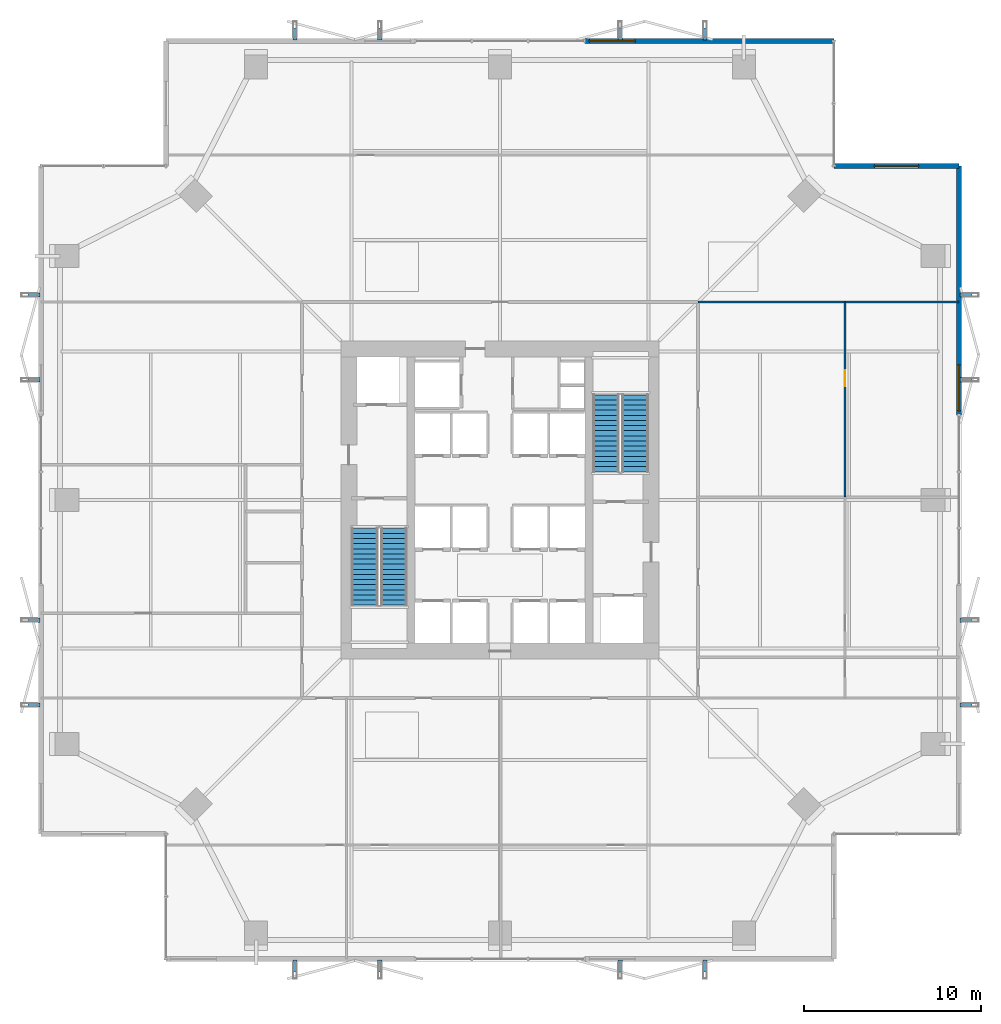
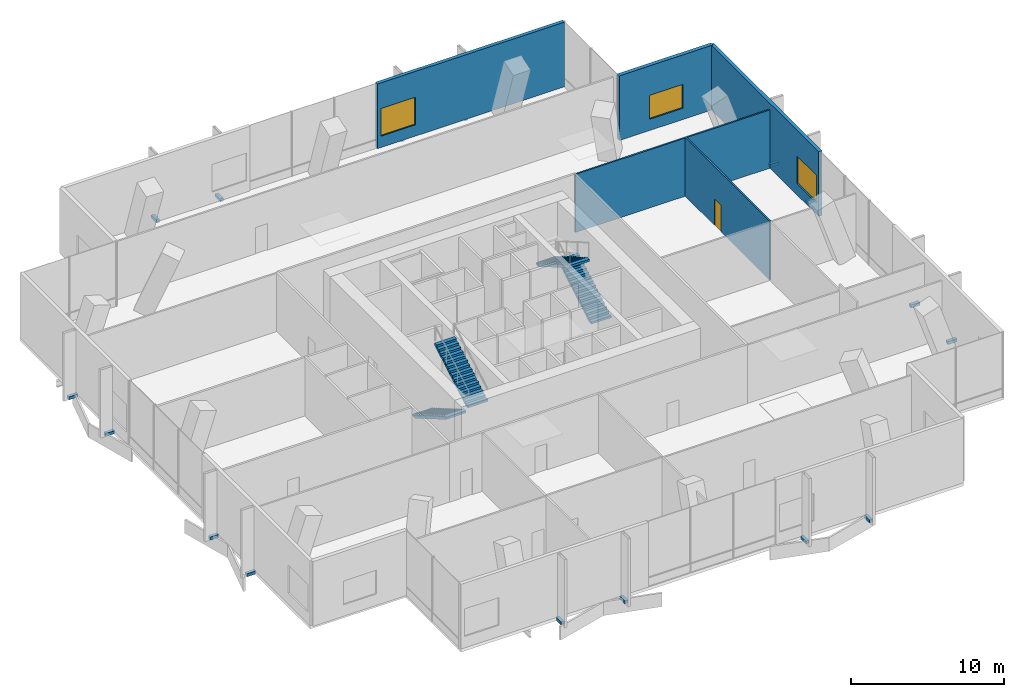
# One storey, part 27 of 28: 16 discrete accessories, 5 walls, 4 stair flights, 3 windows, 1 door, 4 openings, 2 elements without a shape of their own.
"""IFC4 building model written with IfcOpenShell, lengths in metres."""

from ifc_helpers import new_model, si_unit, direction, frame, frame_2d, origin, origin_2d, place, context, subcontext, project, spatial, polyline, rectangle, outline, extrude, material, layer, layer_set, type_object, element, fill, aggregate, save


model = new_model("IFC4")

# Units and contexts
model_context = context("Model", 3, precision=1e-05, world=origin(), true_north=direction((0.0, 1.0)))
body_context = subcontext(model_context, "Body", "Model", "MODEL_VIEW")
ifc_project = project(units=[si_unit("LENGTHUNIT", "METRE"), si_unit("AREAUNIT", "SQUARE_METRE"), si_unit("VOLUMEUNIT", "CUBIC_METRE"), si_unit("PLANEANGLEUNIT", "RADIAN"), si_unit("MASSUNIT", "GRAM", prefix="KILO")], contexts=[model_context])

# Site, building, storey
site_placement = place(None, origin())
site = spatial("IfcSite", under=ifc_project, at=site_placement, CompositionType="ELEMENT")
building_placement = place(site_placement, origin())
building = spatial("IfcBuilding", under=site, at=building_placement, Name="Belovzor Exchange Tower", CompositionType="ELEMENT")
storey_placement = place(building_placement, frame((0.0, 0.0, 132.89990234375)))
storey = spatial("IfcBuildingStorey", under=building, at=storey_placement, Name="L32", CompositionType="ELEMENT", Elevation=132.89990234375)

# Wall
ifc_material_1 = material(Name="Acoustic Plasterboard on Galvanised Studs", Category="gypsum")
ifc_layer_1 = layer(ifc_material_1, 0.1201171875)
ifc_layer_set_1 = layer_set([ifc_layer_1], Name="Acoustic Plasterboard on Galvanised Studs")
wall_type_1 = type_object("IfcWallType", Name="Acoustic Double-Stud Partition Wall 120", PredefinedType="PARTITIONING", material=ifc_layer_set_1)
wall_1_placement = place(storey_placement, frame((40.0, 40.0, 0.0), z_axis=(0.0, 0.0, 1.0), x_axis=(1.0, 0.0, 0.0)))
element("IfcWall", 1, at=wall_1_placement, inside=storey, type_object=wall_type_1, Name="W-P120 Partition Wall W-L32-END-NE", PredefinedType="PARTITIONING", context=body_context, shape_type="SweptSolid", body=[
    extrude(rectangle(XDim=14.77001953125, YDim=0.1201171875, at=frame_2d((7.385009765625, 0.0))), origin(), (0.0, 0.0, 1.0), 4.630126953125),
])

# Wall, opening, door
wall_2_placement = place(storey_placement, frame((48.320068359375, 28.9560546875, 0.0), z_axis=(0.0, 0.0, 1.0), x_axis=(0.0, 1.0, 0.0)))
wall_2 = element("IfcWall", 2, at=wall_2_placement, inside=storey, type_object=wall_type_1, Name="W-P120 Partition Wall W-L32-EHDIV-2", PredefinedType="PARTITIONING", context=body_context, shape_type="SweptSolid", body=[
    extrude(rectangle(XDim=11.0439453125, YDim=0.1201171875, at=frame_2d((5.52197265625, 0.0))), origin(), (0.0, 0.0, 1.0), 4.68017578125),
])
opening_1_placement = place(wall_2_placement, frame((6.2900390625, 0.0, 0.0)))
opening_1 = element("IfcOpeningElement", 3, at=opening_1_placement, cuts=wall_2, Name="Opening D-INT-090", PredefinedType="OPENING", context=body_context, shape_type="SweptSolid", body=[
    extrude(rectangle(XDim=0.89990234375, YDim=2.10009765625, at=frame_2d((0.449951171875, 1.050048828125))), frame((0.0, 0.070068359375, 0.0), z_axis=(0.0, -1.0, 0.0), x_axis=(1.0, 0.0, 0.0)), (0.0, 0.0, 1.0), 0.14013671875),
])
ifc_material_2 = material(Name="Veneered Hardwood Acoustic Leaf", Category="wood")
door_type = type_object("IfcDoorType", Name="Trading Suite Acoustic Single Door 900x2100", OperationType="NOTDEFINED", PredefinedType="DOOR", material=ifc_material_2)
door_placement = place(opening_1_placement, origin())
door = element("IfcDoor", 4, at=door_placement, inside=storey, type_object=door_type, Name="D-INT-090 Trading Suite Acoustic Single Door 900x2100", OperationType="SINGLE_SWING_RIGHT", OverallHeight=2.10009765625, OverallWidth=0.89990234375, PredefinedType="DOOR", context=body_context, shape_type="SweptSolid", body=[
    extrude(rectangle(XDim=0.89990234375, YDim=2.10009765625, at=frame_2d((0.449951171875, 1.050048828125))), frame((0.0, 0.02490234375, 0.0), z_axis=(0.0, -1.0, 0.0), x_axis=(1.0, 0.0, 0.0)), (0.0, 0.0, 1.0), 0.050048828125),
])
fill(opening_1, door)

# Wall, opening, window
ifc_material_3 = material(Name="Precast concrete C40/50", Category="concrete")
ifc_layer_2 = layer(ifc_material_3, 0.280029296875)
ifc_layer_set_2 = layer_set([ifc_layer_2], Name="Precast concrete C40/50")
wall_type_2 = type_object("IfcWallType", Name="Precast Concrete Notched Corner Frame Wall 280", PredefinedType="SOLIDWALL", material=ifc_layer_set_2)
wall_3_placement = place(storey_placement, frame((47.699951171875, 47.699951171875, 0.0), z_axis=(0.0, 0.0, 1.0), x_axis=(1.0, 0.0, 0.0)))
wall_3 = element("IfcWall", 5, at=wall_3_placement, inside=storey, type_object=wall_type_2, Name="W-CRN280 Precast Concrete Notched Corner Frame Wall 280 L32", PredefinedType="SOLIDWALL", context=body_context, shape_type="SweptSolid", body=[
    extrude(rectangle(XDim=7.070068359375, YDim=0.280029296875, at=frame_2d((3.53515625, 0.0))), origin(), (0.0, 0.0, 1.0), 5.14501953125),
])
opening_2_placement = place(wall_3_placement, frame((2.284912109375, 0.0, 0.89990234375)))
opening_2 = element("IfcOpeningElement", 6, at=opening_2_placement, cuts=wall_3, Name="Opening WN-CRN250", PredefinedType="OPENING", context=body_context, shape_type="SweptSolid", body=[
    extrude(rectangle(XDim=2.5, YDim=1.89990234375, at=frame_2d((1.25, 0.949951171875))), frame((0.0, 0.14990234375, 0.0), z_axis=(0.0, -1.0, 0.0), x_axis=(1.0, 0.0, 0.0)), (0.0, 0.0, 1.0), 0.300048828125),
])
ifc_material_4 = material(Name="Thermally Broken Aluminium and Triple Glazing", Category="aluminium")
window_type_1 = type_object("IfcWindowType", Name="Streamline Moderne Corner Wrap Ribbon Window 2500x1900", PartitioningType="SINGLE_PANEL", PredefinedType="WINDOW", material=ifc_material_4)
window_1_placement = place(opening_2_placement, origin())
window_1 = element("IfcWindow", 7, at=window_1_placement, inside=storey, type_object=window_type_1, Name="WN-CRN250 Streamline Moderne Corner Wrap Ribbon Window 2500x1900", OverallHeight=1.89990234375, OverallWidth=2.5, PartitioningType="SINGLE_PANEL", PredefinedType="WINDOW", context=body_context, shape_type="SweptSolid", body=[
    extrude(rectangle(XDim=2.5, YDim=1.89990234375, at=frame_2d((1.25, 0.949951171875))), frame((0.0, 0.030029296875, 0.0), z_axis=(0.0, -1.0, 0.0), x_axis=(1.0, 0.0, 0.0)), (0.0, 0.0, 1.0), 0.06005859375),
])
fill(opening_2, window_1)

ifc_material_5 = material(Name="Precast concrete C40/50", Category="concrete")
ifc_layer_3 = layer(ifc_material_5, 0.260009765625)
ifc_layer_set_3 = layer_set([ifc_layer_3], Name="Precast concrete C40/50")
wall_type_3 = type_object("IfcWallType", Name="Precast Concrete Perimeter Loggia Frame Wall 260", PredefinedType="SOLIDWALL", material=ifc_layer_set_3)
wall_4_placement = place(storey_placement, frame((33.60009765625, 54.77001953125, 0.0), z_axis=(0.0, 0.0, 1.0), x_axis=(1.0, 0.0, 0.0)))
wall_4 = element("IfcWall", 8, at=wall_4_placement, inside=storey, type_object=wall_type_3, Name="W-EXT260 Precast Concrete Perimeter Loggia Frame Wall 260 L32", PredefinedType="SOLIDWALL", context=body_context, shape_type="SweptSolid", body=[
    extrude(rectangle(XDim=14.099853515625, YDim=0.260009765625, at=frame_2d((7.0498046875, 0.0))), origin(), (0.0, 0.0, 1.0), 5.14501953125),
])
opening_3_placement = place(wall_4_placement, frame((0.25, 0.0, 0.89990234375)))
opening_3 = element("IfcOpeningElement", 9, at=opening_3_placement, cuts=wall_4, Name="Opening WN-LOG260", PredefinedType="OPENING", context=body_context, shape_type="SweptSolid", body=[
    extrude(rectangle(XDim=2.60009765625, YDim=2.199951171875, at=frame_2d((1.300048828125, 1.10009765625))), frame((0.0, 0.139892578125, 0.0), z_axis=(0.0, -1.0, 0.0), x_axis=(1.0, 0.0, 0.0)), (0.0, 0.0, 1.0), 0.280029296875),
])
ifc_material_6 = material(Name="Thermally Broken Aluminium and Triple Glazing", Category="aluminium")
window_type_2 = type_object("IfcWindowType", Name="Sky-Lobby Panoramic Window 2600x2200", PartitioningType="SINGLE_PANEL", PredefinedType="WINDOW", material=ifc_material_6)
window_2_placement = place(opening_3_placement, origin())
window_2 = element("IfcWindow", 10, at=window_2_placement, inside=storey, type_object=window_type_2, Name="WN-LOG260 Sky-Lobby Panoramic Window 2600x2200", OverallHeight=2.199951171875, OverallWidth=2.60009765625, PartitioningType="SINGLE_PANEL", PredefinedType="WINDOW", context=body_context, shape_type="SweptSolid", body=[
    extrude(rectangle(XDim=2.60009765625, YDim=2.199951171875, at=frame_2d((1.300048828125, 1.10009765625))), frame((0.0, 0.030029296875, 0.0), z_axis=(0.0, -1.0, 0.0), x_axis=(1.0, 0.0, 0.0)), (0.0, 0.0, 1.0), 0.06005859375),
])
fill(opening_3, window_2)

wall_5_placement = place(storey_placement, frame((54.77001953125, 47.699951171875, 0.0), z_axis=(0.0, 0.0, 1.0), x_axis=(0.0, -1.0, 0.0)))
wall_5 = element("IfcWall", 11, at=wall_5_placement, inside=storey, type_object=wall_type_3, Name="W-EXT260 Precast Concrete Perimeter Loggia Frame Wall 260 L32", PredefinedType="SOLIDWALL", context=body_context, shape_type="SweptSolid", body=[
    extrude(rectangle(XDim=14.099853515625, YDim=0.260009765625, at=frame_2d((7.0498046875, 0.0))), origin(), (0.0, 0.0, 1.0), 5.14501953125),
])
opening_4_placement = place(wall_5_placement, frame((11.25, 0.0, 0.89990234375)))
opening_4 = element("IfcOpeningElement", 12, at=opening_4_placement, cuts=wall_5, Name="Opening WN-LOG260", PredefinedType="OPENING", context=body_context, shape_type="SweptSolid", body=[
    extrude(rectangle(XDim=2.60009765625, YDim=2.199951171875, at=frame_2d((1.300048828125, 1.10009765625))), frame((0.0, 0.139892578125, 0.0), z_axis=(0.0, -1.0, 0.0), x_axis=(1.0, 0.0, 0.0)), (0.0, 0.0, 1.0), 0.280029296875),
])
window_3_placement = place(opening_4_placement, origin())
window_3 = element("IfcWindow", 13, at=window_3_placement, inside=storey, type_object=window_type_2, Name="WN-LOG260 Sky-Lobby Panoramic Window 2600x2200", OverallHeight=2.199951171875, OverallWidth=2.60009765625, PartitioningType="SINGLE_PANEL", PredefinedType="WINDOW", context=body_context, shape_type="SweptSolid", body=[
    extrude(rectangle(XDim=2.60009765625, YDim=2.199951171875, at=frame_2d((1.300048828125, 1.10009765625))), frame((0.0, 0.030029296875, 0.0), z_axis=(0.0, -1.0, 0.0), x_axis=(1.0, 0.0, 0.0)), (0.0, 0.0, 1.0), 0.06005859375),
])
fill(opening_4, window_3)

# Stair, stair flights
ifc_material_7 = material(Name="Concrete C40/50", Category="concrete")
stair_type = type_object("IfcStairType", Name="Reinforced Concrete Dogleg Escape Stair 1350", PredefinedType="HALF_TURN_STAIR", material=ifc_material_7)
stair_1_placement = place(storey_placement, origin())
stair_1 = element("IfcStair", 14, at=stair_1_placement, inside=storey, type_object=stair_type, Name="L32 ST-1", PredefinedType="HALF_TURN_STAIR")
ifc_material_8 = material(Name="Concrete C40/50", Category="concrete")
stair_flight_type = type_object("IfcStairFlightType", Name="Reinforced Concrete Stair Flight 1350", PredefinedType="STRAIGHT", material=ifc_material_8)
stair_flight_1_placement = place(storey_placement, frame((21.14990234375, 27.199951171875, 0.0), z_axis=(0.0, 0.0, 1.0), x_axis=(0.0, -1.0, 0.0)))
stair_flight_1 = element("IfcStairFlight", 15, at=stair_flight_1_placement, type_object=stair_flight_type, Name="ST-1 flight 1", NumberOfRisers=16, NumberOfTreads=15, PredefinedType="STRAIGHT", RiserHeight=0.16875, TreadLength=0.29, context=body_context, shape_type="SweptSolid", body=[
    extrude(outline(polyline([(0.0, 0.0), (0.0, 0.168701171875), (0.2900390625, 0.168701171875), (0.2900390625, 0.33740234375), (0.580078125, 0.33740234375), (0.580078125, 0.50634765625), (0.8701171875, 0.50634765625), (0.8701171875, 0.675048828125), (1.159912109375, 0.675048828125), (1.159912109375, 0.84375), (1.449951171875, 0.84375), (1.449951171875, 1.012451171875), (1.739990234375, 1.012451171875), (1.739990234375, 1.18115234375), (2.030029296875, 1.18115234375), (2.030029296875, 1.35009765625), (2.320068359375, 1.35009765625), (2.320068359375, 1.518798828125), (2.610107421875, 1.518798828125), (2.610107421875, 1.6875), (2.89990234375, 1.6875), (2.89990234375, 1.856201171875), (3.18994140625, 1.856201171875), (3.18994140625, 2.02490234375), (3.47998046875, 2.02490234375), (3.47998046875, 2.19384765625), (3.77001953125, 2.19384765625), (3.77001953125, 2.362548828125), (4.06005859375, 2.362548828125), (4.06005859375, 2.53125), (4.35009765625, 2.53125), (4.35009765625, 2.699951171875), (4.35009765625, 2.35791015625), (0.298095703125, 0.0), (0.0, 0.0)])), frame((0.0, 0.75, 0.0), z_axis=(0.0, -1.0, 0.0), x_axis=(1.0, 0.0, 0.0)), (0.0, 0.0, 1.0), 1.5),
])
stair_flight_2_placement = place(storey_placement, frame((22.800048828125, 22.85009765625, 2.7001953125), z_axis=(0.0, 0.0, 1.0), x_axis=(0.0, 1.0, 0.0)))
stair_flight_2 = element("IfcStairFlight", 16, at=stair_flight_2_placement, type_object=stair_flight_type, Name="ST-1 flight 2", NumberOfRisers=16, NumberOfTreads=15, PredefinedType="STRAIGHT", RiserHeight=0.16875, TreadLength=0.29, context=body_context, shape_type="SweptSolid", body=[
    extrude(outline(polyline([(0.0, 0.0), (0.0, 0.168701171875), (0.2900390625, 0.168701171875), (0.2900390625, 0.33740234375), (0.580078125, 0.33740234375), (0.580078125, 0.50634765625), (0.8701171875, 0.50634765625), (0.8701171875, 0.675048828125), (1.159912109375, 0.675048828125), (1.159912109375, 0.84375), (1.449951171875, 0.84375), (1.449951171875, 1.012451171875), (1.739990234375, 1.012451171875), (1.739990234375, 1.18115234375), (2.030029296875, 1.18115234375), (2.030029296875, 1.35009765625), (2.320068359375, 1.35009765625), (2.320068359375, 1.518798828125), (2.610107421875, 1.518798828125), (2.610107421875, 1.6875), (2.89990234375, 1.6875), (2.89990234375, 1.856201171875), (3.18994140625, 1.856201171875), (3.18994140625, 2.02490234375), (3.47998046875, 2.02490234375), (3.47998046875, 2.19384765625), (3.77001953125, 2.19384765625), (3.77001953125, 2.362548828125), (4.06005859375, 2.362548828125), (4.06005859375, 2.53125), (4.35009765625, 2.53125), (4.35009765625, 2.699951171875), (4.35009765625, 2.35791015625), (0.298095703125, 0.0), (0.0, 0.0)])), frame((0.0, 0.75, 0.0), z_axis=(0.0, -1.0, 0.0), x_axis=(1.0, 0.0, 0.0)), (0.0, 0.0, 1.0), 1.5),
])
aggregate(stair_1, [stair_flight_1, stair_flight_2])

stair_2_placement = place(storey_placement, origin())
stair_2 = element("IfcStair", 17, at=stair_2_placement, inside=storey, type_object=stair_type, Name="L32 ST-2", PredefinedType="HALF_TURN_STAIR")
stair_flight_3_placement = place(storey_placement, frame((36.449951171875, 30.39990234375, 0.0), z_axis=(0.0, 0.0, 1.0), x_axis=(0.0, 1.0, 0.0)))
stair_flight_3 = element("IfcStairFlight", 18, at=stair_flight_3_placement, type_object=stair_flight_type, Name="ST-2 flight 1", NumberOfRisers=16, NumberOfTreads=15, PredefinedType="STRAIGHT", RiserHeight=0.16875, TreadLength=0.29, context=body_context, shape_type="SweptSolid", body=[
    extrude(outline(polyline([(0.0, 0.0), (0.0, 0.168701171875), (0.2900390625, 0.168701171875), (0.2900390625, 0.33740234375), (0.580078125, 0.33740234375), (0.580078125, 0.50634765625), (0.8701171875, 0.50634765625), (0.8701171875, 0.675048828125), (1.159912109375, 0.675048828125), (1.159912109375, 0.84375), (1.449951171875, 0.84375), (1.449951171875, 1.012451171875), (1.739990234375, 1.012451171875), (1.739990234375, 1.18115234375), (2.030029296875, 1.18115234375), (2.030029296875, 1.35009765625), (2.320068359375, 1.35009765625), (2.320068359375, 1.518798828125), (2.610107421875, 1.518798828125), (2.610107421875, 1.6875), (2.89990234375, 1.6875), (2.89990234375, 1.856201171875), (3.18994140625, 1.856201171875), (3.18994140625, 2.02490234375), (3.47998046875, 2.02490234375), (3.47998046875, 2.19384765625), (3.77001953125, 2.19384765625), (3.77001953125, 2.362548828125), (4.06005859375, 2.362548828125), (4.06005859375, 2.53125), (4.35009765625, 2.53125), (4.35009765625, 2.699951171875), (4.35009765625, 2.35791015625), (0.298095703125, 0.0), (0.0, 0.0)])), frame((0.0, 0.75, 0.0), z_axis=(0.0, -1.0, 0.0), x_axis=(1.0, 0.0, 0.0)), (0.0, 0.0, 1.0), 1.5),
])
stair_flight_4_placement = place(storey_placement, frame((34.800048828125, 34.75, 2.7001953125), z_axis=(0.0, 0.0, 1.0), x_axis=(0.0, -1.0, 0.0)))
stair_flight_4 = element("IfcStairFlight", 19, at=stair_flight_4_placement, type_object=stair_flight_type, Name="ST-2 flight 2", NumberOfRisers=16, NumberOfTreads=15, PredefinedType="STRAIGHT", RiserHeight=0.16875, TreadLength=0.29, context=body_context, shape_type="SweptSolid", body=[
    extrude(outline(polyline([(0.0, 0.0), (0.0, 0.168701171875), (0.2900390625, 0.168701171875), (0.2900390625, 0.33740234375), (0.580078125, 0.33740234375), (0.580078125, 0.50634765625), (0.8701171875, 0.50634765625), (0.8701171875, 0.675048828125), (1.159912109375, 0.675048828125), (1.159912109375, 0.84375), (1.449951171875, 0.84375), (1.449951171875, 1.012451171875), (1.739990234375, 1.012451171875), (1.739990234375, 1.18115234375), (2.030029296875, 1.18115234375), (2.030029296875, 1.35009765625), (2.320068359375, 1.35009765625), (2.320068359375, 1.518798828125), (2.610107421875, 1.518798828125), (2.610107421875, 1.6875), (2.89990234375, 1.6875), (2.89990234375, 1.856201171875), (3.18994140625, 1.856201171875), (3.18994140625, 2.02490234375), (3.47998046875, 2.02490234375), (3.47998046875, 2.19384765625), (3.77001953125, 2.19384765625), (3.77001953125, 2.362548828125), (4.06005859375, 2.362548828125), (4.06005859375, 2.53125), (4.35009765625, 2.53125), (4.35009765625, 2.699951171875), (4.35009765625, 2.35791015625), (0.298095703125, 0.0), (0.0, 0.0)])), frame((0.0, 0.75, 0.0), z_axis=(0.0, -1.0, 0.0), x_axis=(1.0, 0.0, 0.0)), (0.0, 0.0, 1.0), 1.5),
])
aggregate(stair_2, [stair_flight_3, stair_flight_4])

# Discrete accessories
ifc_material_9 = material(Name="Stainless Steel Grade 316", Category="steel")
ifc_layer_4 = layer(ifc_material_9, 0.179931640625)
ifc_layer_set_4 = layer_set([ifc_layer_4], Name="Stainless Steel Grade 316")
discrete_accessory_type = type_object("IfcDiscreteAccessoryType", Name="Stainless Steel Facade Outrigger Fixing Bracket", PredefinedType="BRACKET", material=ifc_layer_set_4)
for number, where, z_axis, x_axis, name in (
    (20, (17.199951171875, 2.43798828125, -0.2451171875), (0.0, 0.0, 1.0), (0.0, 1.0, 0.0), "BRK-FIN1 Sweeping Fin Outrigger Bracket L32 S1"),
    (21, (17.199951171875, 55.1630859375, -0.2451171875), (0.0, 0.0, 1.0), (0.0, 1.0, 0.0), "BRK-FIN1 Sweeping Fin Outrigger Bracket L32 N1"),
    (22, (2.43798828125, 17.199951171875, -0.2451171875), (0.0, 0.0, 1.0), (1.0, 0.0, 0.0), "BRK-FIN1 Sweeping Fin Outrigger Bracket L32 W1"),
    (23, (55.1630859375, 17.199951171875, -0.2451171875), (0.0, 0.0, 1.0), (1.0, 0.0, 0.0), "BRK-FIN1 Sweeping Fin Outrigger Bracket L32 E1"),
    (24, (22.0, 2.43798828125, -0.2451171875), (0.0, 0.0, 1.0), (0.0, 1.0, 0.0), "BRK-FIN1 Sweeping Fin Outrigger Bracket L32 S2"),
    (25, (22.0, 55.1630859375, -0.2451171875), (0.0, 0.0, 1.0), (0.0, 1.0, 0.0), "BRK-FIN1 Sweeping Fin Outrigger Bracket L32 N2"),
    (26, (2.43798828125, 22.0, -0.2451171875), (0.0, 0.0, 1.0), (1.0, 0.0, 0.0), "BRK-FIN1 Sweeping Fin Outrigger Bracket L32 W2"),
    (27, (55.1630859375, 22.0, -0.2451171875), (0.0, 0.0, 1.0), (1.0, 0.0, 0.0), "BRK-FIN1 Sweeping Fin Outrigger Bracket L32 E2"),
    (28, (35.60009765625, 2.43798828125, -0.2451171875), (0.0, 0.0, 1.0), (0.0, 1.0, 0.0), "BRK-FIN1 Sweeping Fin Outrigger Bracket L32 S3"),
    (29, (35.60009765625, 55.1630859375, -0.2451171875), (0.0, 0.0, 1.0), (0.0, 1.0, 0.0), "BRK-FIN1 Sweeping Fin Outrigger Bracket L32 N3"),
    (30, (2.43798828125, 35.60009765625, -0.2451171875), (0.0, 0.0, 1.0), (1.0, 0.0, 0.0), "BRK-FIN1 Sweeping Fin Outrigger Bracket L32 W3"),
    (31, (55.1630859375, 35.60009765625, -0.2451171875), (0.0, 0.0, 1.0), (1.0, 0.0, 0.0), "BRK-FIN1 Sweeping Fin Outrigger Bracket L32 E3"),
    (32, (40.39990234375, 2.43798828125, -0.2451171875), (0.0, 0.0, 1.0), (0.0, 1.0, 0.0), "BRK-FIN1 Sweeping Fin Outrigger Bracket L32 S4"),
    (33, (40.39990234375, 55.1630859375, -0.2451171875), (0.0, 0.0, 1.0), (0.0, 1.0, 0.0), "BRK-FIN1 Sweeping Fin Outrigger Bracket L32 N4"),
    (34, (2.43798828125, 40.39990234375, -0.2451171875), (0.0, 0.0, 1.0), (1.0, 0.0, 0.0), "BRK-FIN1 Sweeping Fin Outrigger Bracket L32 W4"),
    (35, (55.1630859375, 40.39990234375, -0.2451171875), (0.0, 0.0, 1.0), (1.0, 0.0, 0.0), "BRK-FIN1 Sweeping Fin Outrigger Bracket L32 E4"),
):
    element("IfcDiscreteAccessory", number, at=place(storey_placement, frame(where, z_axis=z_axis, x_axis=x_axis)), inside=storey, type_object=discrete_accessory_type, Name=name, PredefinedType="BRACKET", context=body_context, shape_type="SweptSolid", body=[
        extrude(rectangle(XDim=0.68505859375, YDim=0.239990234375, at=origin_2d()), origin(), (0.0, 0.0, 1.0), 0.239990234375),
    ])

save(model, "model.ifc")
